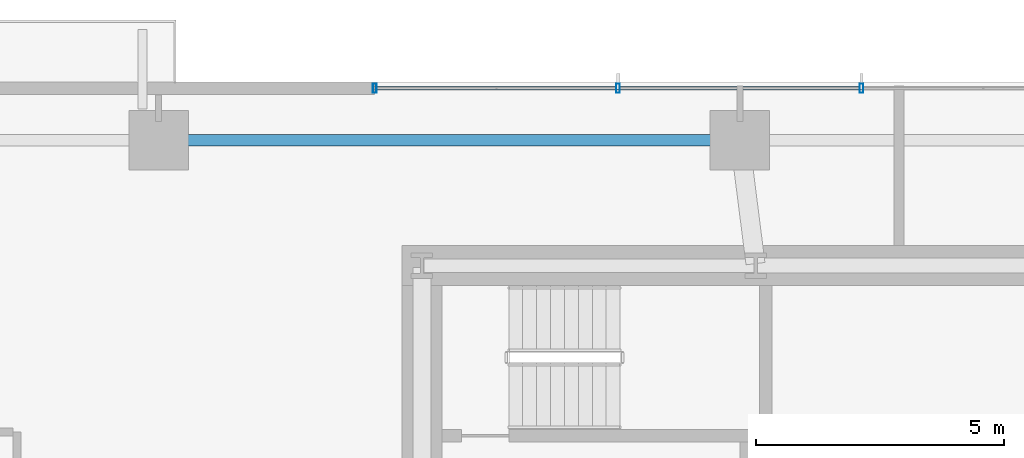
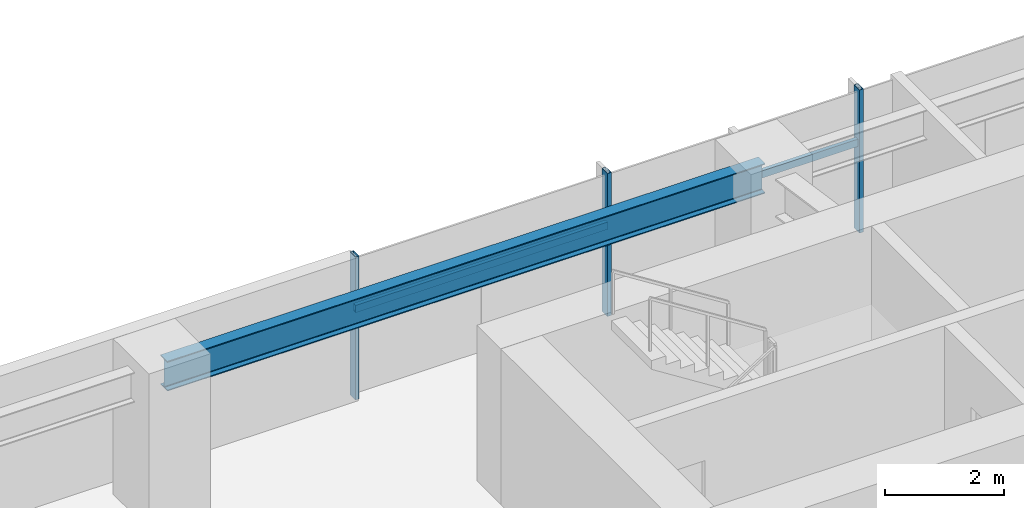
# One storey, part 10 of 25: 5 members, 1 beam, 1 element without a shape of its own.
"""IFC4 building model written with IfcOpenShell, lengths in metres."""

from ifc_helpers import new_model, si_unit, direction, frame, origin, origin_2d, place, context, subcontext, project, spatial, hollow_rectangle, i_section, extrude, source, transform, mapped, material, material_profile, profile_set, type_object, type_shapes, element, aggregate, save


model = new_model("IFC4")

# Units and contexts
model_context = context("Model", 3, precision=1e-05, world=origin(), true_north=direction((0.0, 1.0)))
body_context = subcontext(model_context, "Body", "Model", "MODEL_VIEW")
ifc_project = project(units=[si_unit("LENGTHUNIT", "METRE"), si_unit("AREAUNIT", "SQUARE_METRE"), si_unit("VOLUMEUNIT", "CUBIC_METRE"), si_unit("PLANEANGLEUNIT", "RADIAN"), si_unit("MASSUNIT", "GRAM", prefix="KILO")], contexts=[model_context])

# Site, building, storey
site_placement = place(None, origin())
site = spatial("IfcSite", under=ifc_project, at=site_placement, CompositionType="ELEMENT")
building_placement = place(site_placement, origin())
building = spatial("IfcBuilding", under=site, at=building_placement, Name="Astriad Promenade Condominiums", CompositionType="ELEMENT")
storey_placement = place(building_placement, frame((0.0, 0.0, 39.0)))
storey = spatial("IfcBuildingStorey", under=building, at=storey_placement, Name="L10", CompositionType="ELEMENT", Elevation=39.0)

# Beam
ifc_material_1 = material(Name="Steel ASTM A992 Grade 50", Category="steel")
ifc_material_profile_1 = material_profile(ifc_material_1, i_section(OverallWidth=0.22900390625, OverallDepth=0.612060546875, WebThickness=0.011962890625, FlangeThickness=0.01953125, FilletRadius=0.017822265625, at=origin_2d()), Name="W24X84")
ifc_profile_set_1 = profile_set([ifc_material_profile_1], Name="Steel ASTM A992 Grade 50")
beam_type = type_object("IfcBeamType", Name="STEEL SPANDREL BEAM W24X84", PredefinedType="SPANDREL", material=ifc_profile_set_1)
shared_shape_1 = source(origin(), body_context, "Body", "SweptSolid", [
    extrude(i_section(OverallWidth=0.22900390625, OverallDepth=0.612060546875, WebThickness=0.011962890625, FlangeThickness=0.01953125, FilletRadius=0.017822265625, at=origin_2d()), origin(), (0.0, 0.0, 1.0), 11.6201171875),
])
type_shapes(beam_type, [shared_shape_1])
beam_placement = place(storey_placement, frame((32.760009765625, 26.52001953125, 2.6337890625), z_axis=(-1.0, 0.0, 0.0), x_axis=(0.0, -1.0, 0.0)))
element("IfcBeam", 1, at=beam_placement, inside=storey, type_object=beam_type, Name="Perimeter Spandrel Beam SP-N2-L10", PredefinedType="SPANDREL", context=body_context, shape_type="MappedRepresentation", body=[
    mapped(shared_shape_1, transform((0.0, 0.0, 0.0), scale=1.0)),
])

# Curtain wall, members
ifc_material_2 = material(Name="Anodised aluminium Black Dark Glass Unitised", Category="aluminium")
curtain_wall_type = type_object("IfcCurtainWallType", Name="CW-B1-DARK", PredefinedType="USERDEFINED", material=ifc_material_2)
curtain_wall_placement = place(storey_placement, origin())
curtain_wall = element("IfcCurtainWall", 2, at=curtain_wall_placement, inside=storey, type_object=curtain_wall_type, Name="CW-L10-N", ObjectType="UNITISED_CURTAIN_WALL", PredefinedType="USERDEFINED")
ifc_material_3 = material(Name="Anodised aluminium 6063-T6 Black", Category="aluminium")
ifc_material_profile_2 = material_profile(ifc_material_3, hollow_rectangle(XDim=0.074951171875, YDim=0.18505859375, WallThickness=0.00439453125, at=origin_2d()), Name="ALU-MUL-75X185")
ifc_profile_set_2 = profile_set([ifc_material_profile_2], Name="Anodised aluminium 6063-T6 Black")
member_type_1 = type_object("IfcMemberType", Name="MUL-ALU-MUL-75X185", PredefinedType="MULLION", material=ifc_profile_set_2)
shared_shape_2 = source(origin(), body_context, "Body", "SweptSolid", [
    extrude(hollow_rectangle(XDim=0.074951171875, YDim=0.18505859375, WallThickness=0.00439453125, at=origin_2d()), origin(), (0.0, 0.0, 1.0), 2.93994140625),
])
type_shapes(member_type_1, [shared_shape_2])
member_1_placement = place(storey_placement, frame((25.449951171875, 27.570068359375, 0.0), z_axis=(0.0, 0.0, 1.0), x_axis=(1.0, 0.0, 0.0)))
member_1 = element("IfcMember", 3, at=member_1_placement, type_object=member_type_1, Name="CW-L10-N-MUL-00", PredefinedType="MULLION", context=body_context, shape_type="MappedRepresentation", body=[
    mapped(shared_shape_2, transform((0.0, 0.0, 0.0), scale=1.0)),
])
member_2_placement = place(storey_placement, frame((30.35009765625, 27.570068359375, 0.0), z_axis=(0.0, 0.0, 1.0), x_axis=(1.0, 0.0, 0.0)))
member_2 = element("IfcMember", 4, at=member_2_placement, type_object=member_type_1, Name="CW-L10-N-MUL-01", PredefinedType="MULLION", context=body_context, shape_type="MappedRepresentation", body=[
    mapped(shared_shape_2, transform((0.0, 0.0, 0.0), scale=1.0)),
])
member_3_placement = place(storey_placement, frame((35.25, 27.570068359375, 0.0), z_axis=(0.0, 0.0, 1.0), x_axis=(1.0, 0.0, 0.0)))
member_3 = element("IfcMember", 5, at=member_3_placement, type_object=member_type_1, Name="CW-L10-N-MUL-02", PredefinedType="MULLION", context=body_context, shape_type="MappedRepresentation", body=[
    mapped(shared_shape_2, transform((0.0, 0.0, 0.0), scale=1.0)),
])
ifc_material_profile_3 = material_profile(ifc_material_3, hollow_rectangle(XDim=0.074951171875, YDim=0.14990234375, WallThickness=0.004150390625, at=origin_2d()), Name="ALU-TRN-75X150")
ifc_profile_set_3 = profile_set([ifc_material_profile_3], Name="Anodised aluminium 6063-T6 Black")
member_type_2 = type_object("IfcMemberType", Name="TRN-ALU-TRN-75X150", PredefinedType="USERDEFINED", material=ifc_profile_set_3)
shared_shape_3 = source(origin(), body_context, "Body", "SweptSolid", [
    extrude(hollow_rectangle(XDim=0.074951171875, YDim=0.14990234375, WallThickness=0.004150390625, at=origin_2d()), origin(), (0.0, 0.0, 1.0), 4.900146484375),
])
member_4_placement = place(storey_placement, frame((25.449951171875, 27.570068359375, 1.82275390625), z_axis=(1.0, 0.0, 0.0), x_axis=(0.0, 1.0, 0.0)))
member_4 = element("IfcMember", 6, at=member_4_placement, type_object=member_type_2, Name="CW-L10-N-TRN-00-0", ObjectType="TRANSOM", PredefinedType="USERDEFINED", context=body_context, shape_type="MappedRepresentation", body=[
    mapped(shared_shape_3, transform((0.0, 0.0, 0.0), scale=1.0)),
])
shared_shape_4 = source(origin(), body_context, "Body", "SweptSolid", [
    extrude(hollow_rectangle(XDim=0.074951171875, YDim=0.14990234375, WallThickness=0.004150390625, at=origin_2d()), origin(), (0.0, 0.0, 1.0), 4.89990234375),
])
type_shapes(member_type_2, [shared_shape_3, shared_shape_4])
member_5_placement = place(storey_placement, frame((30.35009765625, 27.570068359375, 1.82275390625), z_axis=(1.0, 0.0, 0.0), x_axis=(0.0, 1.0, 0.0)))
member_5 = element("IfcMember", 7, at=member_5_placement, type_object=member_type_2, Name="CW-L10-N-TRN-01-0", ObjectType="TRANSOM", PredefinedType="USERDEFINED", context=body_context, shape_type="MappedRepresentation", body=[
    mapped(shared_shape_4, transform((0.0, 0.0, 0.0), scale=1.0)),
])
aggregate(curtain_wall, [member_1, member_2, member_3, member_4, member_5])

save(model, "model.ifc")
